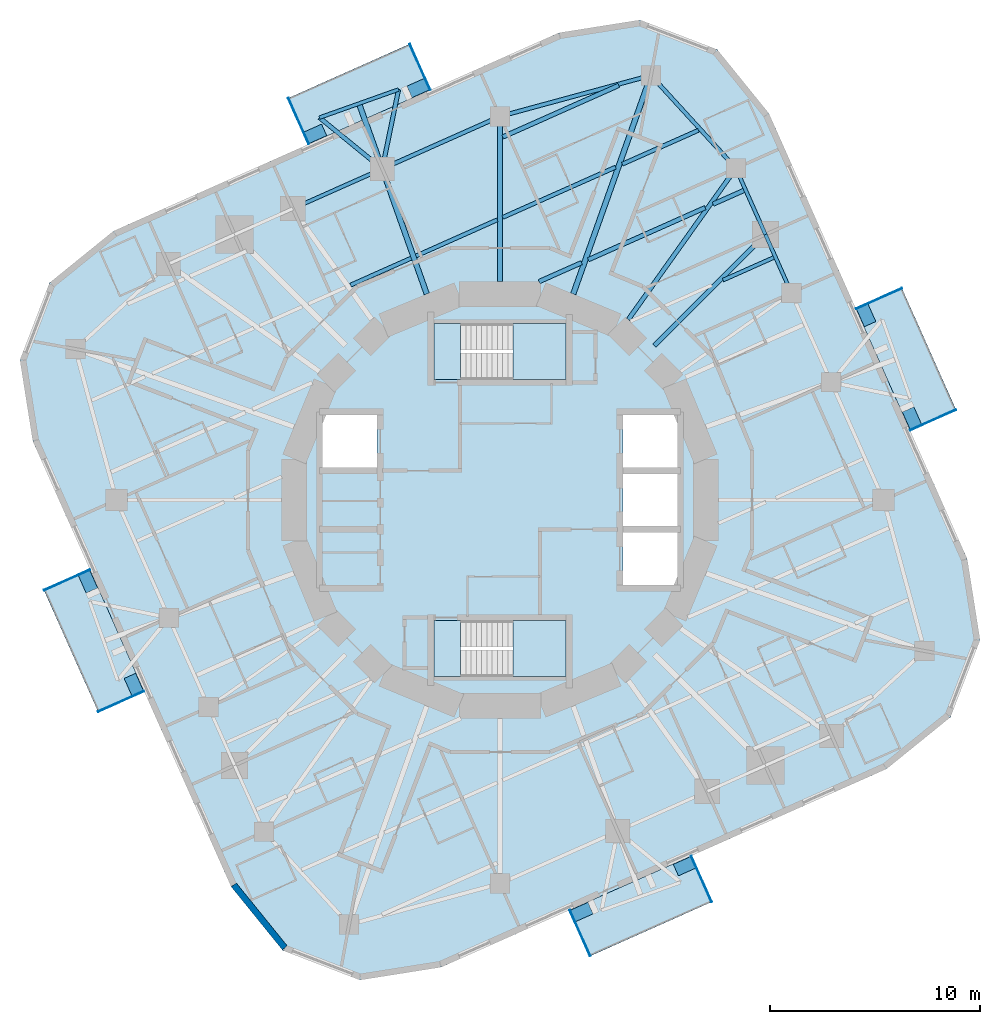
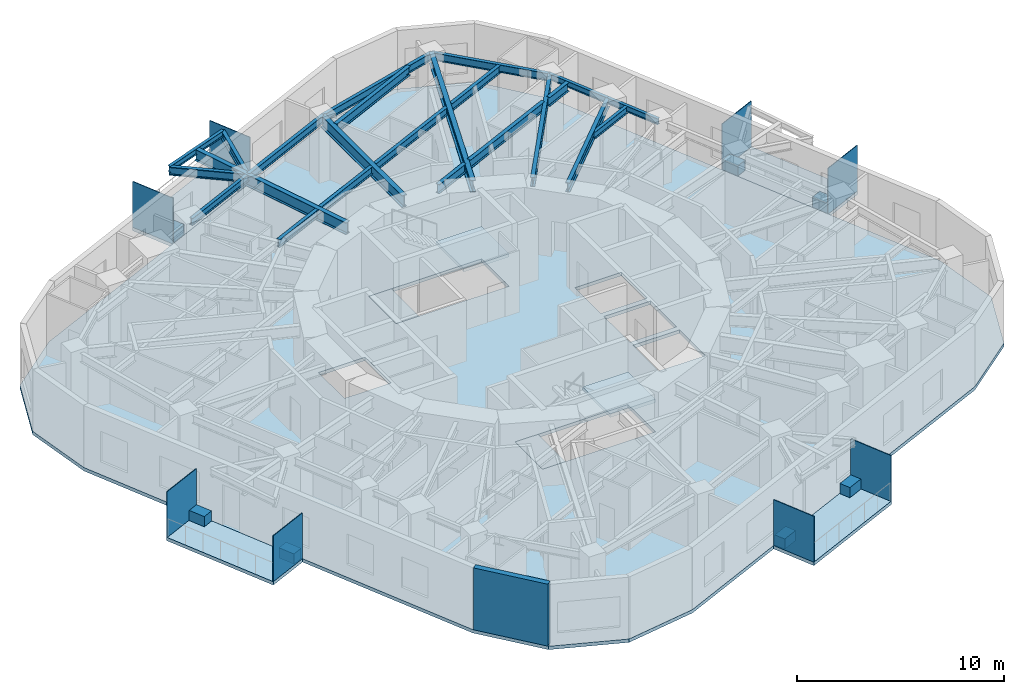
# One storey, part 3 of 12: 23 beams, 16 plates, 9 slabs, 1 wall, 2 elements without a shape of their own.
"""IFC4 building model written with IfcOpenShell, lengths in metres."""

from ifc_helpers import new_model, si_unit, direction, frame, frame_2d, origin, origin_2d, place, context, subcontext, project, spatial, polyline, rectangle, i_section, outline, extrude, material, layer, layer_set, material_profile, profile_set, type_object, element, aggregate, save


model = new_model("IFC4")

# Units and contexts
model_context = context("Model", 3, precision=1e-05, world=origin(), true_north=direction((0.0, 1.0)))
body_context = subcontext(model_context, "Body", "Model", "MODEL_VIEW")
ifc_project = project(units=[si_unit("LENGTHUNIT", "METRE"), si_unit("AREAUNIT", "SQUARE_METRE"), si_unit("VOLUMEUNIT", "CUBIC_METRE"), si_unit("PLANEANGLEUNIT", "RADIAN"), si_unit("MASSUNIT", "GRAM", prefix="KILO")], contexts=[model_context])

# Site, building, storey
site_placement = place(None, origin())
site = spatial("IfcSite", under=ifc_project, at=site_placement, CompositionType="ELEMENT")
building_placement = place(site_placement, origin())
building = spatial("IfcBuilding", under=site, at=building_placement, Name="Nakasero Lantern House", CompositionType="ELEMENT")
storey_placement = place(building_placement, frame((0.0, 0.0, 209.39990234375)))
storey = spatial("IfcBuildingStorey", under=building, at=storey_placement, Name="L51", CompositionType="ELEMENT", Elevation=209.39990234375)

# Beams
ifc_material_1 = material(Name="Steel S355", Category="steel")
ifc_material_profile_1 = material_profile(ifc_material_1, i_section(OverallWidth=0.199462890625, OverallDepth=0.491943359375, WebThickness=0.01806640625, FlangeThickness=0.031982421875, FilletRadius=0.01025390625, at=origin_2d()), Name="UB 457x191x161")
ifc_profile_set_1 = profile_set([ifc_material_profile_1], Name="Steel S355")
beam_type_1 = type_object("IfcBeamType", Name="Balcony splay beam UB 457x191x161", PredefinedType="BEAM", material=ifc_profile_set_1)
beam_1_placement = place(storey_placement, frame((-5.611328125, 15.781982421875, 3.404052734375), z_axis=(-0.774833215206, 0.632165712937, 0.0), x_axis=(-0.632165712937, -0.774833215206, 0.0)))
element("IfcBeam", 1, at=beam_1_placement, inside=storey, type_object=beam_type_1, Name="Balcony splay beam L52 B5-C10A", PredefinedType="BEAM", context=body_context, shape_type="SweptSolid", body=[
    extrude(i_section(OverallWidth=0.199462890625, OverallDepth=0.491943359375, WebThickness=0.01806640625, FlangeThickness=0.031982421875, FilletRadius=0.01025390625, at=origin_2d()), origin(), (0.0, 0.0, 1.0), 3.85888671875),
])
beam_2_placement = place(storey_placement, frame((-5.611328125, 15.781982421875, 3.404052734375), z_axis=(0.201831438605, 0.979420272605, 0.0), x_axis=(-0.979420272605, 0.201831438605, 0.0)))
element("IfcBeam", 2, at=beam_2_placement, inside=storey, type_object=beam_type_1, Name="Balcony splay beam L52 B5-C10B", PredefinedType="BEAM", context=body_context, shape_type="SweptSolid", body=[
    extrude(i_section(OverallWidth=0.199462890625, OverallDepth=0.491943359375, WebThickness=0.01806640625, FlangeThickness=0.031982421875, FilletRadius=0.01025390625, at=origin_2d()), origin(), (0.0, 0.0, 1.0), 3.858642578125),
])
ifc_material_2 = material(Name="Steel S355", Category="steel")
ifc_material_profile_2 = material_profile(ifc_material_2, i_section(OverallWidth=0.17138671875, OverallDepth=0.35498046875, WebThickness=0.00732421875, FlangeThickness=0.011474609375, FilletRadius=0.01025390625, at=origin_2d()), Name="UB 356x171x51")
ifc_profile_set_2 = profile_set([ifc_material_profile_2], Name="Steel S355")
beam_type_2 = type_object("IfcBeamType", Name="Balcony tie beam UB 356x171x51", PredefinedType="BEAM", material=ifc_profile_set_2)
beam_3_placement = place(storey_placement, frame((-8.601318359375, 18.221435546875, 3.47265625), z_axis=(0.94222839004, 0.334971134582, 0.0), x_axis=(-0.334971134582, 0.94222839004, 0.0)))
element("IfcBeam", 3, at=beam_3_placement, inside=storey, type_object=beam_type_2, Name="Balcony tie beam L52 B5-C10", PredefinedType="BEAM", context=body_context, shape_type="SweptSolid", body=[
    extrude(i_section(OverallWidth=0.17138671875, OverallDepth=0.35498046875, WebThickness=0.00732421875, FlangeThickness=0.011474609375, FilletRadius=0.01025390625, at=origin_2d()), origin(), (0.0, 0.0, 1.0), 4.0),
])
ifc_material_3 = material(Name="Steel S355", Category="steel")
ifc_material_profile_3 = material_profile(ifc_material_3, i_section(OverallWidth=0.177978515625, OverallDepth=0.406494140625, WebThickness=0.0078125, FlangeThickness=0.0126953125, FilletRadius=0.01025390625, at=origin_2d()), Name="UB 406x178x60")
ifc_profile_set_3 = profile_set([ifc_material_profile_3], Name="Steel S355")
beam_type_3 = type_object("IfcBeamType", Name="Infill beam UB 406x178x60", PredefinedType="JOIST", material=ifc_profile_set_3)
beam_4_placement = place(storey_placement, frame((10.626708984375, 10.47802734375, 3.44677734375), z_axis=(0.913529602849, 0.406772251658, 0.0), x_axis=(-0.406772251658, 0.913529602849, 0.0)))
element("IfcBeam", 4, at=beam_4_placement, inside=storey, type_object=beam_type_3, Name="Infill beam L52 09.4", PredefinedType="JOIST", context=body_context, shape_type="SweptSolid", body=[
    extrude(i_section(OverallWidth=0.177978515625, OverallDepth=0.406494140625, WebThickness=0.0078125, FlangeThickness=0.0126953125, FilletRadius=0.01025390625, at=origin_2d()), origin(), (0.0, 0.0, 1.0), 2.64453125),
])
ifc_material_4 = material(Name="Steel S355", Category="steel")
ifc_material_profile_4 = material_profile(ifc_material_4, i_section(OverallWidth=0.18994140625, OverallDepth=0.453369140625, WebThickness=0.008544921875, FlangeThickness=0.0126953125, FilletRadius=0.01025390625, at=origin_2d()), Name="UB 457x191x67")
ifc_profile_set_4 = profile_set([ifc_material_profile_4], Name="Steel S355")
beam_type_4 = type_object("IfcBeamType", Name="Infill beam UB 457x191x67", PredefinedType="JOIST", material=ifc_profile_set_4)
beam_5_placement = place(storey_placement, frame((-7.123291015625, 10.23779296875, 3.42333984375), z_axis=(0.913544106346, 0.406739678123, 0.0), x_axis=(-0.406739678123, 0.913544106346, 0.0)))
element("IfcBeam", 5, at=beam_5_placement, inside=storey, type_object=beam_type_4, Name="Infill beam L52 11.5", PredefinedType="JOIST", context=body_context, shape_type="SweptSolid", body=[
    extrude(i_section(OverallWidth=0.18994140625, OverallDepth=0.453369140625, WebThickness=0.008544921875, FlangeThickness=0.0126953125, FilletRadius=0.01025390625, at=origin_2d()), origin(), (0.0, 0.0, 1.0), 3.16455078125),
])
beam_6_placement = place(storey_placement, frame((-4.0, 11.62841796875, 3.42333984375), z_axis=(0.913552455182, 0.40672092598, 0.0), x_axis=(-0.40672092598, 0.913552455182, 0.0)))
element("IfcBeam", 6, at=beam_6_placement, inside=storey, type_object=beam_type_4, Name="Infill beam L52 11.6", PredefinedType="JOIST", context=body_context, shape_type="SweptSolid", body=[
    extrude(i_section(OverallWidth=0.18994140625, OverallDepth=0.453369140625, WebThickness=0.008544921875, FlangeThickness=0.0126953125, FilletRadius=0.01025390625, at=origin_2d()), origin(), (0.0, 0.0, 1.0), 4.238525390625),
])
beam_7_placement = place(storey_placement, frame((0.1279296875, 13.46630859375, 3.42333984375), z_axis=(0.913542777248, 0.406742663287, 0.0), x_axis=(-0.406742663287, 0.913542777248, 0.0)))
element("IfcBeam", 7, at=beam_7_placement, inside=storey, type_object=beam_type_4, Name="Infill beam L52 11.7", PredefinedType="JOIST", context=body_context, shape_type="SweptSolid", body=[
    extrude(i_section(OverallWidth=0.18994140625, OverallDepth=0.453369140625, WebThickness=0.008544921875, FlangeThickness=0.0126953125, FilletRadius=0.01025390625, at=origin_2d()), origin(), (0.0, 0.0, 1.0), 5.88525390625),
])
beam_8_placement = place(storey_placement, frame((5.824462890625, 16.00244140625, 3.42333984375), z_axis=(0.91354552237, 0.406736497695, 0.0), x_axis=(-0.406736497695, 0.91354552237, 0.0)))
element("IfcBeam", 8, at=beam_8_placement, inside=storey, type_object=beam_type_4, Name="Infill beam L52 11.8", PredefinedType="JOIST", context=body_context, shape_type="SweptSolid", body=[
    extrude(i_section(OverallWidth=0.18994140625, OverallDepth=0.453369140625, WebThickness=0.008544921875, FlangeThickness=0.0126953125, FilletRadius=0.01025390625, at=origin_2d()), origin(), (0.0, 0.0, 1.0), 3.9765625),
])
ifc_material_5 = material(Name="Steel S355", Category="steel")
ifc_material_profile_5 = material_profile(ifc_material_5, i_section(OverallWidth=0.2099609375, OverallDepth=0.53662109375, WebThickness=0.0107421875, FlangeThickness=0.017333984375, FilletRadius=0.0126953125, at=origin_2d()), Name="UB 533x210x101")
ifc_profile_set_5 = profile_set([ifc_material_profile_5], Name="Steel S355")
beam_type_5 = type_object("IfcBeamType", Name="Infill beam UB 533x210x101", PredefinedType="JOIST", material=ifc_profile_set_5)
beam_9_placement = place(storey_placement, frame((0.1279296875, 17.29736328125, 3.3818359375), z_axis=(0.913537020085, 0.406755593611, 0.0), x_axis=(-0.406755593611, 0.913537020085, 0.0)))
element("IfcBeam", 9, at=beam_9_placement, inside=storey, type_object=beam_type_5, Name="Infill beam L52 12.3", PredefinedType="JOIST", context=body_context, shape_type="SweptSolid", body=[
    extrude(i_section(OverallWidth=0.2099609375, OverallDepth=0.53662109375, WebThickness=0.0107421875, FlangeThickness=0.017333984375, FilletRadius=0.0126953125, at=origin_2d()), origin(), (0.0, 0.0, 1.0), 6.0556640625),
])
ifc_material_6 = material(Name="Steel S355", Category="steel")
ifc_material_profile_6 = material_profile(ifc_material_6, i_section(OverallWidth=0.208740234375, OverallDepth=0.5283203125, WebThickness=0.009521484375, FlangeThickness=0.01318359375, FilletRadius=0.0126953125, at=origin_2d()), Name="UB 533x210x82")
ifc_profile_set_6 = profile_set([ifc_material_profile_6], Name="Steel S355")
beam_type_6 = type_object("IfcBeamType", Name="Infill beam UB 533x210x82", PredefinedType="JOIST", material=ifc_profile_set_6)
beam_10_placement = place(storey_placement, frame((1.86376953125, 10.407958984375, 3.385986328125), z_axis=(0.913538457968, 0.406752364238, 0.0), x_axis=(-0.406752364238, 0.913538457968, 0.0)))
element("IfcBeam", 10, at=beam_10_placement, inside=storey, type_object=beam_type_6, Name="Infill beam L52 10.3", PredefinedType="JOIST", context=body_context, shape_type="SweptSolid", body=[
    extrude(i_section(OverallWidth=0.208740234375, OverallDepth=0.5283203125, WebThickness=0.009521484375, FlangeThickness=0.01318359375, FilletRadius=0.0126953125, at=origin_2d()), origin(), (0.0, 0.0, 1.0), 2.213623046875),
])
beam_11_placement = place(storey_placement, frame((4.2060546875, 11.45068359375, 3.385986328125), z_axis=(0.913537341067, 0.406754872713, 0.0), x_axis=(-0.406754872713, 0.913537341067, 0.0)))
element("IfcBeam", 11, at=beam_11_placement, inside=storey, type_object=beam_type_6, Name="Infill beam L52 10.4", PredefinedType="JOIST", context=body_context, shape_type="SweptSolid", body=[
    extrude(i_section(OverallWidth=0.208740234375, OverallDepth=0.5283203125, WebThickness=0.009521484375, FlangeThickness=0.01318359375, FilletRadius=0.0126953125, at=origin_2d()), origin(), (0.0, 0.0, 1.0), 6.099365234375),
])
beam_12_placement = place(storey_placement, frame((10.155029296875, 14.099365234375, 3.385986328125), z_axis=(0.913522313414, 0.406788621884, 0.0), x_axis=(-0.406788621884, 0.913522313414, 0.0)))
element("IfcBeam", 12, at=beam_12_placement, inside=storey, type_object=beam_type_6, Name="Infill beam L52 10.5", PredefinedType="JOIST", context=body_context, shape_type="SweptSolid", body=[
    extrude(i_section(OverallWidth=0.208740234375, OverallDepth=0.5283203125, WebThickness=0.009521484375, FlangeThickness=0.01318359375, FilletRadius=0.0126953125, at=origin_2d()), origin(), (0.0, 0.0, 1.0), 1.6025390625),
])
ifc_material_7 = material(Name="Steel S355", Category="steel")
ifc_material_profile_7 = material_profile(ifc_material_7, i_section(OverallWidth=0.2099609375, OverallDepth=0.53662109375, WebThickness=0.0107421875, FlangeThickness=0.017333984375, FilletRadius=0.0126953125, at=origin_2d()), Name="UB 533x210x101")
ifc_profile_set_7 = profile_set([ifc_material_profile_7], Name="Steel S355")
beam_type_7 = type_object("IfcBeamType", Name="Primary beam UB 533x210x101, span 6 to 9 m", PredefinedType="BEAM", material=ifc_profile_set_7)
beam_13_placement = place(storey_placement, frame((12.64892578125, 12.64892578125, 3.3818359375), z_axis=(-0.707106781187, -0.707106781187, 0.0), x_axis=(0.707106781187, -0.707106781187, 0.0)))
element("IfcBeam", 13, at=beam_13_placement, inside=storey, type_object=beam_type_7, Name="Primary beam L52 B5-C06", PredefinedType="BEAM", context=body_context, shape_type="SweptSolid", body=[
    extrude(i_section(OverallWidth=0.2099609375, OverallDepth=0.53662109375, WebThickness=0.0107421875, FlangeThickness=0.017333984375, FilletRadius=0.0126953125, at=origin_2d()), origin(), (0.0, 0.0, 1.0), 7.48046875),
])
beam_14_placement = place(storey_placement, frame((11.241943359375, 15.808837890625, 3.3818359375), z_axis=(-0.579536824926, -0.814946052543, 0.0), x_axis=(0.814946052543, -0.579536824926, 0.0)))
element("IfcBeam", 14, at=beam_14_placement, inside=storey, type_object=beam_type_7, Name="Primary beam L52 B5-C07", PredefinedType="BEAM", context=body_context, shape_type="SweptSolid", body=[
    extrude(i_section(OverallWidth=0.2099609375, OverallDepth=0.53662109375, WebThickness=0.0107421875, FlangeThickness=0.017333984375, FilletRadius=0.0126953125, at=origin_2d()), origin(), (0.0, 0.0, 1.0), 8.84326171875),
])
ifc_material_8 = material(Name="Steel S355", Category="steel")
ifc_material_profile_8 = material_profile(ifc_material_8, i_section(OverallWidth=0.253662109375, OverallDepth=0.68359375, WebThickness=0.012451171875, FlangeThickness=0.01904296875, FilletRadius=0.01513671875, at=origin_2d()), Name="UB 686x254x140")
ifc_profile_set_8 = profile_set([ifc_material_profile_8], Name="Steel S355")
beam_type_8 = type_object("IfcBeamType", Name="Primary beam UB 686x254x140, span 6 to 9 m", PredefinedType="BEAM", material=ifc_profile_set_8)
beam_15_placement = place(storey_placement, frame((-6.717041015625, 18.891357421875, 3.308349609375), z_axis=(0.335030177005, -0.942207397814, 0.0), x_axis=(0.942207397814, 0.335030177005, 0.0)))
element("IfcBeam", 15, at=beam_15_placement, inside=storey, type_object=beam_type_8, Name="Primary beam L52 B5-C10", PredefinedType="BEAM", context=body_context, shape_type="SweptSolid", body=[
    extrude(i_section(OverallWidth=0.253662109375, OverallDepth=0.68359375, WebThickness=0.012451171875, FlangeThickness=0.01904296875, FilletRadius=0.01513671875, at=origin_2d()), origin(), (0.0, 0.0, 1.0), 9.62841796875),
])
ifc_material_9 = material(Name="Steel S355", Category="steel")
ifc_material_profile_9 = material_profile(ifc_material_9, i_section(OverallWidth=0.253662109375, OverallDepth=0.68359375, WebThickness=0.012451171875, FlangeThickness=0.01904296875, FilletRadius=0.01513671875, at=origin_2d()), Name="UB 686x254x140")
ifc_profile_set_9 = profile_set([ifc_material_profile_9], Name="Steel S355")
beam_type_9 = type_object("IfcBeamType", Name="Primary beam UB 686x254x140, span 9 to 12 m", PredefinedType="BEAM", material=ifc_profile_set_9)
beam_16_placement = place(storey_placement, frame((7.19482421875, 20.2353515625, 3.308349609375), z_axis=(-0.335020995468, -0.942210662535, 0.0), x_axis=(0.942210662535, -0.335020995468, 0.0)))
element("IfcBeam", 16, at=beam_16_placement, inside=storey, type_object=beam_type_9, Name="Primary beam L52 B5-C08", PredefinedType="BEAM", context=body_context, shape_type="SweptSolid", body=[
    extrude(i_section(OverallWidth=0.253662109375, OverallDepth=0.68359375, WebThickness=0.012451171875, FlangeThickness=0.01904296875, FilletRadius=0.01513671875, at=origin_2d()), origin(), (0.0, 0.0, 1.0), 11.054931640625),
])
ifc_material_10 = material(Name="Steel S355", Category="steel")
ifc_material_profile_10 = material_profile(ifc_material_10, i_section(OverallWidth=0.255859375, OverallDepth=0.69287109375, WebThickness=0.014404296875, FlangeThickness=0.023681640625, FilletRadius=0.01513671875, at=origin_2d()), Name="UB 686x254x170")
ifc_profile_set_10 = profile_set([ifc_material_profile_10], Name="Steel S355")
beam_type_10 = type_object("IfcBeamType", Name="Primary beam UB 686x254x170, span 6 to 9 m", PredefinedType="BEAM", material=ifc_profile_set_10)
beam_17_placement = place(storey_placement, frame((0.0, 18.280517578125, 3.3037109375), z_axis=(0.0, -1.0, 0.0), x_axis=(1.0, 0.0, 0.0)))
element("IfcBeam", 17, at=beam_17_placement, inside=storey, type_object=beam_type_10, Name="Primary beam L52 B5-C09", PredefinedType="BEAM", context=body_context, shape_type="SweptSolid", body=[
    extrude(i_section(OverallWidth=0.255859375, OverallDepth=0.69287109375, WebThickness=0.014404296875, FlangeThickness=0.023681640625, FilletRadius=0.01513671875, at=origin_2d()), origin(), (0.0, 0.0, 1.0), 7.87255859375),
])
ifc_material_11 = material(Name="Steel S355", Category="steel")
ifc_material_profile_11 = material_profile(ifc_material_11, i_section(OverallWidth=0.17138671875, OverallDepth=0.35498046875, WebThickness=0.00732421875, FlangeThickness=0.011474609375, FilletRadius=0.01025390625, at=origin_2d()), Name="UB 356x171x51")
ifc_profile_set_11 = profile_set([ifc_material_profile_11], Name="Steel S355")
beam_type_11 = type_object("IfcBeamType", Name="Ring beam UB 356x171x51", PredefinedType="BEAM", material=ifc_profile_set_11)
beam_18_placement = place(storey_placement, frame((13.884521484375, 9.87353515625, 3.47265625), z_axis=(-0.40671251915, 0.913556197925, 0.0), x_axis=(-0.913556197925, -0.40671251915, 0.0)))
element("IfcBeam", 18, at=beam_18_placement, inside=storey, type_object=beam_type_11, Name="Ring beam L52 B5-C05", PredefinedType="BEAM", context=body_context, shape_type="SweptSolid", body=[
    extrude(i_section(OverallWidth=0.17138671875, OverallDepth=0.35498046875, WebThickness=0.00732421875, FlangeThickness=0.011474609375, FilletRadius=0.01025390625, at=origin_2d()), origin(), (0.0, 0.0, 1.0), 3.0380859375),
])
beam_19_placement = place(storey_placement, frame((12.64892578125, 12.64892578125, 3.47265625), z_axis=(-0.406760506795, 0.913534832457, 0.0), x_axis=(-0.913534832457, -0.406760506795, 0.0)))
element("IfcBeam", 19, at=beam_19_placement, inside=storey, type_object=beam_type_11, Name="Ring beam L52 B5-C06", PredefinedType="BEAM", context=body_context, shape_type="SweptSolid", body=[
    extrude(i_section(OverallWidth=0.17138671875, OverallDepth=0.35498046875, WebThickness=0.00732421875, FlangeThickness=0.011474609375, FilletRadius=0.01025390625, at=origin_2d()), origin(), (0.0, 0.0, 1.0), 3.458984375),
])
ifc_material_12 = material(Name="Steel S355", Category="steel")
ifc_material_profile_12 = material_profile(ifc_material_12, i_section(OverallWidth=0.177978515625, OverallDepth=0.406494140625, WebThickness=0.0078125, FlangeThickness=0.0126953125, FilletRadius=0.01025390625, at=origin_2d()), Name="UB 406x178x60")
ifc_profile_set_12 = profile_set([ifc_material_profile_12], Name="Steel S355")
beam_type_12 = type_object("IfcBeamType", Name="Ring beam UB 406x178x60", PredefinedType="BEAM", material=ifc_profile_set_12)
beam_20_placement = place(storey_placement, frame((-5.611328125, 15.781982421875, 3.44677734375), z_axis=(-0.913561058639, -0.406701600856, 0.0), x_axis=(0.406701600856, -0.913561058639, 0.0)))
element("IfcBeam", 20, at=beam_20_placement, inside=storey, type_object=beam_type_12, Name="Ring beam L52 B5-C10", PredefinedType="BEAM", context=body_context, shape_type="SweptSolid", body=[
    extrude(i_section(OverallWidth=0.177978515625, OverallDepth=0.406494140625, WebThickness=0.0078125, FlangeThickness=0.0126953125, FilletRadius=0.01025390625, at=origin_2d()), origin(), (0.0, 0.0, 1.0), 4.66552734375),
])
ifc_material_13 = material(Name="Steel S355", Category="steel")
ifc_material_profile_13 = material_profile(ifc_material_13, i_section(OverallWidth=0.18994140625, OverallDepth=0.453369140625, WebThickness=0.008544921875, FlangeThickness=0.0126953125, FilletRadius=0.01025390625, at=origin_2d()), Name="UB 457x191x67")
ifc_profile_set_13 = profile_set([ifc_material_profile_13], Name="Steel S355")
beam_type_13 = type_object("IfcBeamType", Name="Ring beam UB 457x191x67", PredefinedType="BEAM", material=ifc_profile_set_13)
beam_21_placement = place(storey_placement, frame((11.241943359375, 15.808837890625, 3.42333984375), z_axis=(-0.674771099966, 0.73802707447, 0.0), x_axis=(-0.73802707447, -0.674771099966, 0.0)))
element("IfcBeam", 21, at=beam_21_placement, inside=storey, type_object=beam_type_13, Name="Ring beam L52 B5-C07", PredefinedType="BEAM", context=body_context, shape_type="SweptSolid", body=[
    extrude(i_section(OverallWidth=0.18994140625, OverallDepth=0.453369140625, WebThickness=0.008544921875, FlangeThickness=0.0126953125, FilletRadius=0.01025390625, at=origin_2d()), origin(), (0.0, 0.0, 1.0), 5.997802734375),
])
beam_22_placement = place(storey_placement, frame((7.19482421875, 20.2353515625, 3.42333984375), z_axis=(-0.965015017941, -0.26219461312, 0.0), x_axis=(0.26219461312, -0.965015017941, 0.0)))
element("IfcBeam", 22, at=beam_22_placement, inside=storey, type_object=beam_type_13, Name="Ring beam L52 B5-C08", PredefinedType="BEAM", context=body_context, shape_type="SweptSolid", body=[
    extrude(i_section(OverallWidth=0.18994140625, OverallDepth=0.453369140625, WebThickness=0.008544921875, FlangeThickness=0.0126953125, FilletRadius=0.01025390625, at=origin_2d()), origin(), (0.0, 0.0, 1.0), 7.45556640625),
])
ifc_material_14 = material(Name="Steel S355", Category="steel")
ifc_material_profile_14 = material_profile(ifc_material_14, i_section(OverallWidth=0.19140625, OverallDepth=0.4599609375, WebThickness=0.010009765625, FlangeThickness=0.01611328125, FilletRadius=0.01025390625, at=origin_2d()), Name="UB 457x191x82")
ifc_profile_set_14 = profile_set([ifc_material_profile_14], Name="Steel S355")
beam_type_14 = type_object("IfcBeamType", Name="Ring beam UB 457x191x82", PredefinedType="BEAM", material=ifc_profile_set_14)
beam_23_placement = place(storey_placement, frame((0.0, 18.280517578125, 3.420166015625), z_axis=(-0.913532698569, -0.406765299215, 0.0), x_axis=(0.406765299215, -0.913532698569, 0.0)))
element("IfcBeam", 23, at=beam_23_placement, inside=storey, type_object=beam_type_14, Name="Ring beam L52 B5-C09", PredefinedType="BEAM", context=body_context, shape_type="SweptSolid", body=[
    extrude(i_section(OverallWidth=0.19140625, OverallDepth=0.4599609375, WebThickness=0.010009765625, FlangeThickness=0.01611328125, FilletRadius=0.01025390625, at=origin_2d()), origin(), (0.0, 0.0, 1.0), 6.142333984375),
])

# Plates
ifc_material_15 = material(Name="Aluminium 6063-T6", Category="aluminium")
ifc_layer_1 = layer(ifc_material_15, 0.60009765625)
ifc_layer_set_1 = layer_set([ifc_layer_1], Name="Balcony planter 600x900")
plate_type_1 = type_object("IfcPlateType", Name="Balcony planter 600x900", PredefinedType="USERDEFINED", material=ifc_layer_set_1)
for number, where, z_axis, x_axis, name in (
    (24, (19.629638671875, 3.90283203125, 0.0), (0.0, 0.0, 1.0), (0.913545457643, 0.406736643076, 0.0), "Balcony PLANTER L51 BAL0A"),
    (25, (17.452880859375, 8.791748046875, 0.0), (0.0, 0.0, 1.0), (0.913545457643, 0.406736643076, 0.0), "Balcony PLANTER L51 BAL0B"),
    (26, (-3.90283203125, 19.629638671875, 0.0), (0.0, 0.0, 1.0), (-0.406736643076, 0.913545457643, 0.0), "Balcony PLANTER L51 BAL1A"),
    (27, (-8.791748046875, 17.452880859375, 0.0), (0.0, 0.0, 1.0), (-0.406736643076, 0.913545457643, 0.0), "Balcony PLANTER L51 BAL1B"),
    (28, (-19.629638671875, -3.90283203125, 0.0), (0.0, 0.0, 1.0), (-0.913545457643, -0.406736643076, 0.0), "Balcony PLANTER L51 BAL2A"),
    (29, (-17.452880859375, -8.791748046875, 0.0), (0.0, 0.0, 1.0), (-0.913545457643, -0.406736643076, 0.0), "Balcony PLANTER L51 BAL2B"),
    (30, (3.90283203125, -19.629638671875, 0.0), (0.0, 0.0, 1.0), (0.406736643076, -0.913545457643, 0.0), "Balcony PLANTER L51 BAL3A"),
    (31, (8.791748046875, -17.452880859375, 0.0), (0.0, 0.0, 1.0), (0.406736643076, -0.913545457643, 0.0), "Balcony PLANTER L51 BAL3B"),
):
    element("IfcPlate", number, at=place(storey_placement, frame(where, z_axis=z_axis, x_axis=x_axis)), inside=storey, type_object=plate_type_1, Name=name, ObjectType="PLANTER", PredefinedType="USERDEFINED", context=body_context, shape_type="SweptSolid", body=[
        extrude(rectangle(XDim=0.60009765625, YDim=0.89990234375, at=origin_2d()), origin(), (0.0, 0.0, 1.0), 0.60009765625),
    ])
ifc_material_16 = material(Name="Aluminium 6063-T6", Category="aluminium")
ifc_layer_2 = layer(ifc_material_16, 0.0400390625)
ifc_layer_set_2 = layer_set([ifc_layer_2], Name="Balcony screen 2400x2700")
plate_type_2 = type_object("IfcPlateType", Name="Balcony screen 2400x2700", PredefinedType="SHEET", material=ifc_layer_set_2)
for number, where, z_axis, x_axis, name in (
    (32, (20.6328125, 3.813232421875, 0.0), (0.0, 0.0, 1.0), (0.913545457643, 0.406736643076, 0.0), "Balcony SCREEN L51 BAL0A"),
    (33, (18.0576171875, 9.59716796875, 0.0), (0.0, 0.0, 1.0), (0.913545457643, 0.406736643076, 0.0), "Balcony SCREEN L51 BAL0B"),
    (34, (-3.813232421875, 20.6328125, 0.0), (0.0, 0.0, 1.0), (-0.406736643076, 0.913545457643, 0.0), "Balcony SCREEN L51 BAL1A"),
    (35, (-9.59716796875, 18.0576171875, 0.0), (0.0, 0.0, 1.0), (-0.406736643076, 0.913545457643, 0.0), "Balcony SCREEN L51 BAL1B"),
    (36, (-20.6328125, -3.813232421875, 0.0), (0.0, 0.0, 1.0), (-0.913545457643, -0.406736643076, 0.0), "Balcony SCREEN L51 BAL2A"),
    (37, (-18.0576171875, -9.59716796875, 0.0), (0.0, 0.0, 1.0), (-0.913545457643, -0.406736643076, 0.0), "Balcony SCREEN L51 BAL2B"),
    (38, (3.813232421875, -20.6328125, 0.0), (0.0, 0.0, 1.0), (0.406736643076, -0.913545457643, 0.0), "Balcony SCREEN L51 BAL3A"),
    (39, (9.59716796875, -18.0576171875, 0.0), (0.0, 0.0, 1.0), (0.406736643076, -0.913545457643, 0.0), "Balcony SCREEN L51 BAL3B"),
):
    element("IfcPlate", number, at=place(storey_placement, frame(where, z_axis=z_axis, x_axis=x_axis)), inside=storey, type_object=plate_type_2, Name=name, PredefinedType="SHEET", context=body_context, shape_type="SweptSolid", body=[
        extrude(rectangle(XDim=2.39990234375, YDim=0.0400390625, at=origin_2d()), origin(), (0.0, 0.0, 1.0), 2.699951171875),
    ])

# Slabs
ifc_material_17 = material(Name="Concrete C35/45", Category="concrete")
ifc_layer_3 = layer(ifc_material_17, 0.199951171875)
ifc_layer_set_3 = layer_set([ifc_layer_3], Name="Balcony slab 200")
slab_type_1 = type_object("IfcSlabType", Name="Balcony slab 200", PredefinedType="USERDEFINED", material=ifc_layer_set_3)
slab_1_placement = place(storey_placement, frame((0.0, 0.0, -0.199951171875)))
element("IfcSlab", 40, at=slab_1_placement, inside=storey, type_object=slab_type_1, Name="Balcony L51 BAL0", ObjectType="BALCONY", PredefinedType="USERDEFINED", context=body_context, shape_type="SweptSolid", body=[
    extrude(outline(polyline([(19.544677734375, 3.306884765625), (21.7373046875, 4.282958984375), (19.145751953125, 10.103515625), (16.953125, 9.12744140625), (19.544677734375, 3.306884765625)])), origin(), (0.0, 0.0, 1.0), 0.199951171875),
])
slab_2_placement = place(storey_placement, frame((0.0, 0.0, -0.199951171875)))
element("IfcSlab", 41, at=slab_2_placement, inside=storey, type_object=slab_type_1, Name="Balcony L51 BAL1", ObjectType="BALCONY", PredefinedType="USERDEFINED", context=body_context, shape_type="SweptSolid", body=[
    extrude(outline(polyline([(-3.306884765625, 19.544677734375), (-4.282958984375, 21.7373046875), (-10.103515625, 19.145751953125), (-9.12744140625, 16.953125), (-3.306884765625, 19.544677734375)])), origin(), (0.0, 0.0, 1.0), 0.199951171875),
])
slab_3_placement = place(storey_placement, frame((0.0, 0.0, -0.199951171875)))
element("IfcSlab", 42, at=slab_3_placement, inside=storey, type_object=slab_type_1, Name="Balcony L51 BAL2", ObjectType="BALCONY", PredefinedType="USERDEFINED", context=body_context, shape_type="SweptSolid", body=[
    extrude(outline(polyline([(-19.544677734375, -3.306884765625), (-21.7373046875, -4.282958984375), (-19.145751953125, -10.103515625), (-16.953125, -9.12744140625), (-19.544677734375, -3.306884765625)])), origin(), (0.0, 0.0, 1.0), 0.199951171875),
])
slab_4_placement = place(storey_placement, frame((0.0, 0.0, -0.199951171875)))
element("IfcSlab", 43, at=slab_4_placement, inside=storey, type_object=slab_type_1, Name="Balcony L51 BAL3", ObjectType="BALCONY", PredefinedType="USERDEFINED", context=body_context, shape_type="SweptSolid", body=[
    extrude(outline(polyline([(3.306884765625, -19.544677734375), (4.282958984375, -21.7373046875), (10.103515625, -19.145751953125), (9.12744140625, -16.953125), (3.306884765625, -19.544677734375)])), origin(), (0.0, 0.0, 1.0), 0.199951171875),
])
ifc_material_18 = material(Name="Concrete C35/45", Category="concrete")
ifc_layer_4 = layer(ifc_material_18, 0.199951171875)
ifc_layer_set_4 = layer_set([ifc_layer_4], Name="Composite floor slab 200")
slab_type_2 = type_object("IfcSlabType", Name="Composite floor slab 200", PredefinedType="FLOOR", material=ifc_layer_set_4)
slab_5_placement = place(storey_placement, frame((0.0, 0.0, -0.199951171875)))
element("IfcSlab", 44, at=slab_5_placement, inside=storey, type_object=slab_type_2, Name="Floor slab L51", PredefinedType="FLOOR", context=body_context, shape_type="SweptSolid", body=[
    extrude(outline(polyline([(12.822021484375, 18.406494140625), (10.34619140625, 21.4638671875), (6.67333984375, 22.87353515625), (2.787841796875, 22.25830078125), (-18.406494140625, 12.822021484375), (-21.4638671875, 10.34619140625), (-22.87353515625, 6.67333984375), (-22.25830078125, 2.787841796875), (-12.822021484375, -18.406494140625), (-10.34619140625, -21.4638671875), (-6.67333984375, -22.87353515625), (-2.787841796875, -22.25830078125), (18.406494140625, -12.822021484375), (21.4638671875, -10.34619140625), (22.87353515625, -6.67333984375), (22.25830078125, -2.787841796875), (12.822021484375, 18.406494140625)]), holes=[polyline([(-8.449951171875, 1.550048828125), (-5.85009765625, 1.550048828125), (-5.85009765625, 4.050048828125), (-8.449951171875, 4.050048828125), (-8.449951171875, 1.550048828125)]), polyline([(5.85009765625, -4.050048828125), (8.449951171875, -4.050048828125), (8.449951171875, -1.550048828125), (5.85009765625, -1.550048828125), (5.85009765625, -4.050048828125)]), polyline([(5.85009765625, -1.25), (8.449951171875, -1.25), (8.449951171875, 1.25), (5.85009765625, 1.25), (5.85009765625, -1.25)]), polyline([(5.85009765625, 1.550048828125), (8.449951171875, 1.550048828125), (8.449951171875, 4.050048828125), (5.85009765625, 4.050048828125), (5.85009765625, 1.550048828125)]), polyline([(-3.14990234375, 5.75), (3.14990234375, 5.75), (3.14990234375, 8.39990234375), (-3.14990234375, 8.39990234375), (-3.14990234375, 5.75)]), polyline([(-3.14990234375, -8.39990234375), (3.14990234375, -8.39990234375), (3.14990234375, -5.75), (-3.14990234375, -5.75), (-3.14990234375, -8.39990234375)])]), origin(), (0.0, 0.0, 1.0), 0.199951171875),
])

# Stair, slabs
ifc_material_19 = material(Name="Concrete C40/50", Category="concrete")
stair_type_1 = type_object("IfcStairType", Name="Escape stair ST1 22 risers", PredefinedType="HALF_TURN_STAIR", material=ifc_material_19)
stair_1_placement = place(storey_placement, origin())
stair_1 = element("IfcStair", 45, at=stair_1_placement, inside=storey, type_object=stair_type_1, Name="Escape stair ST1 L51", PredefinedType="HALF_TURN_STAIR")
ifc_material_20 = material(Name="Concrete C40/50", Category="concrete")
ifc_layer_5 = layer(ifc_material_20, 0.199951171875)
ifc_layer_set_5 = layer_set([ifc_layer_5], Name="Stair landing 200")
slab_type_3 = type_object("IfcSlabType", Name="Stair landing 200", PredefinedType="LANDING", material=ifc_layer_set_5)
slab_6_placement = place(storey_placement, frame((0.0, 0.0, -0.199951171875)))
slab_6 = element("IfcSlab", 46, at=slab_6_placement, type_object=slab_type_3, Name="ST1 landing 1", PredefinedType="LANDING", context=body_context, shape_type="SweptSolid", body=[
    extrude(outline(polyline([(-3.14990234375, 5.75), (-1.875, 5.75), (-1.875, 8.39990234375), (-3.14990234375, 8.39990234375), (-3.14990234375, 5.75)])), origin(), (0.0, 0.0, 1.0), 0.199951171875),
])
slab_7_placement = place(storey_placement, frame((0.0, 0.0, 1.72509765625)))
slab_7 = element("IfcSlab", 47, at=slab_7_placement, type_object=slab_type_3, Name="ST1 landing 2", PredefinedType="LANDING", context=body_context, shape_type="SweptSolid", body=[
    extrude(outline(polyline([(0.625, 5.75), (3.14990234375, 5.75), (3.14990234375, 8.39990234375), (0.625, 8.39990234375), (0.625, 5.75)])), origin(), (0.0, 0.0, 1.0), 0.199951171875),
])
aggregate(stair_1, [slab_6, slab_7])

ifc_material_21 = material(Name="Concrete C40/50", Category="concrete")
stair_type_2 = type_object("IfcStairType", Name="Escape stair ST2 22 risers", PredefinedType="HALF_TURN_STAIR", material=ifc_material_21)
stair_2_placement = place(storey_placement, origin())
stair_2 = element("IfcStair", 48, at=stair_2_placement, inside=storey, type_object=stair_type_2, Name="Escape stair ST2 L51", PredefinedType="HALF_TURN_STAIR")
slab_8_placement = place(storey_placement, frame((0.0, 0.0, -0.199951171875)))
slab_8 = element("IfcSlab", 49, at=slab_8_placement, type_object=slab_type_3, Name="ST2 landing 1", PredefinedType="LANDING", context=body_context, shape_type="SweptSolid", body=[
    extrude(outline(polyline([(-3.14990234375, -8.39990234375), (-1.875, -8.39990234375), (-1.875, -5.75), (-3.14990234375, -5.75), (-3.14990234375, -8.39990234375)])), origin(), (0.0, 0.0, 1.0), 0.199951171875),
])
slab_9_placement = place(storey_placement, frame((0.0, 0.0, 1.72509765625)))
slab_9 = element("IfcSlab", 50, at=slab_9_placement, type_object=slab_type_3, Name="ST2 landing 2", PredefinedType="LANDING", context=body_context, shape_type="SweptSolid", body=[
    extrude(outline(polyline([(0.625, -8.39990234375), (3.14990234375, -8.39990234375), (3.14990234375, -5.75), (0.625, -5.75), (0.625, -8.39990234375)])), origin(), (0.0, 0.0, 1.0), 0.199951171875),
])
aggregate(stair_2, [slab_8, slab_9])

# Wall
ifc_material_22 = material(Name="Aluminium rainscreen on blockwork", Category="masonry")
ifc_layer_6 = layer(ifc_material_22, 0.300048828125)
ifc_layer_set_6 = layer_set([ifc_layer_6], Name="Facade wall 300")
wall_type = type_object("IfcWallType", Name="Facade wall 300", PredefinedType="SOLIDWALL", material=ifc_layer_set_6)
wall_placement = place(storey_placement, frame((-12.684814453125, -18.345458984375, 0.0), z_axis=(0.0, 0.0, 1.0), x_axis=(0.629285642335, -0.777174099125, 0.0)))
element("IfcWall", 51, at=wall_placement, inside=storey, type_object=wall_type, Name="Facade wall L51 FW2C1", PredefinedType="SOLIDWALL", context=body_context, shape_type="SweptSolid", body=[
    extrude(rectangle(XDim=3.8564453125, YDim=0.300048828125, at=frame_2d((1.92822265625, 0.0))), origin(), (0.0, 0.0, 1.0), 3.650146484375),
])

save(model, "model.ifc")
